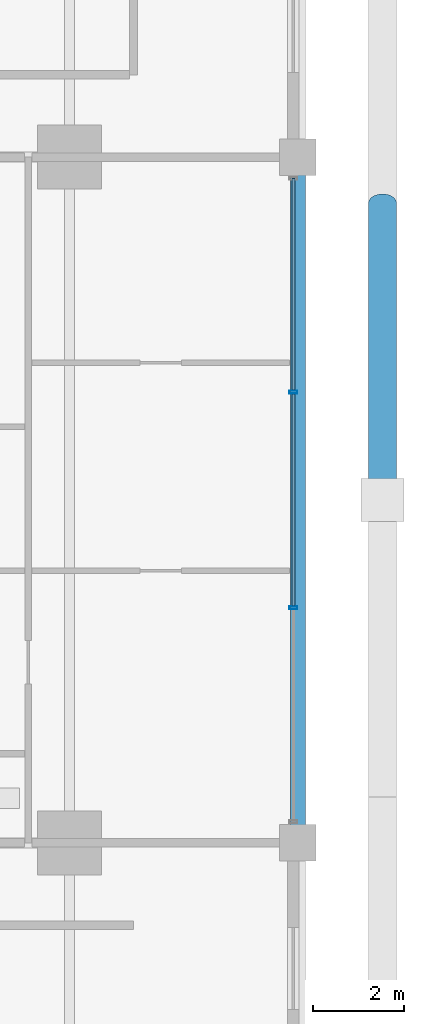
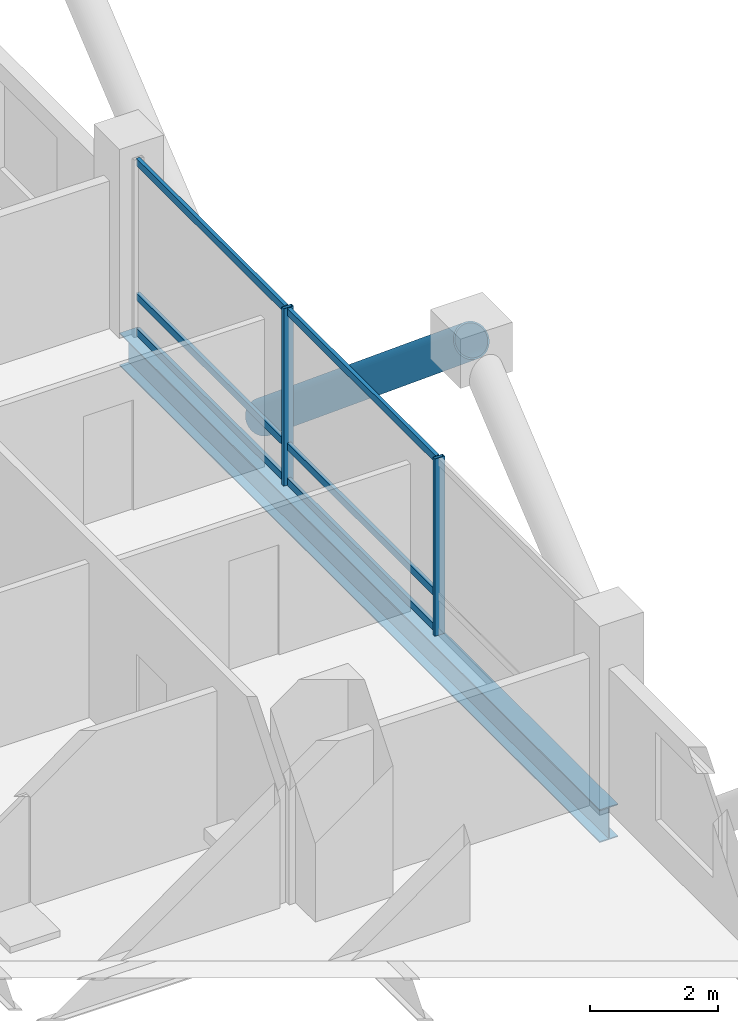
# One storey, part 10 of 23: 9 members, 1 beam, 1 element without a shape of its own.
"""IFC4 building model written with IfcOpenShell, lengths in metres."""

import ifcopenshell
import ifcopenshell.guid

model = None  # the IFC model being written
_history = None  # IfcOwnerHistory: only IFC2X3 demands one
_inside = {}  # id of a spatial element -> (the spatial element, [elements in it])
_under = {}  # id of a project, library or spatial element -> (it, [spatial elements below it])
_declared = {}  # id of a project -> (the project, [libraries it declares])
_typed = {}  # id of a type object -> (the type object, [elements of that type])
_made_of = {}  # id of a material, layer set ... -> (it, [elements and type objects made of it])


def new_model(schema):
    """Start an empty IFC model of exactly this schema.

    Asked for "IFC4X3", IfcOpenShell would pick the latest addendum, in which some entities
    have other attributes; the version numbers below select the first issue.
    IFC2X3 requires an IfcOwnerHistory on every rooted entity: one is made here for all.
    """
    global model, _history
    if schema == "IFC4X3":
        model = ifcopenshell.file(schema_version=(4, 3, 0, 0))
    else:
        model = ifcopenshell.file(schema=schema)
    _inside.clear()
    _under.clear()
    _declared.clear()
    _typed.clear()
    _made_of.clear()
    _history = None
    if model.schema == "IFC2X3":
        org = make("IfcOrganization", Name="unknown")
        user = make(
            "IfcPersonAndOrganization",
            ThePerson=make("IfcPerson", FamilyName="unknown"),
            TheOrganization=org,
        )
        app = make(
            "IfcApplication",
            ApplicationDeveloper=org,
            Version="unknown",
            ApplicationFullName="unknown",
            ApplicationIdentifier="unknown",
        )
        _history = make(
            "IfcOwnerHistory",
            OwningUser=user,
            OwningApplication=app,
            ChangeAction="ADDED",
            CreationDate=0,
        )
    return model


def make(cls, **values):
    """One entity of the class cls with the attributes given. An attribute that is None is left unset."""
    return model.create_entity(
        cls, **{name: value for name, value in values.items() if value is not None}
    )


def rooted(cls, **values):
    """An entity with a GlobalId (a new one), such as an element, a storey or a relation."""
    return make(cls, GlobalId=ifcopenshell.guid.new(), OwnerHistory=_history, **values)


def si_unit(unit_type, name, prefix=None):
    """IfcSIUnit, for example si_unit("LENGTHUNIT", "METRE", prefix="MILLI")."""
    return make("IfcSIUnit", UnitType=unit_type, Prefix=prefix, Name=name)


def assignment(units):
    """IfcUnitAssignment: the units of a project."""
    return None if units is None else make("IfcUnitAssignment", Units=units)


def point(xyz):
    """IfcCartesianPoint."""
    return None if xyz is None else make("IfcCartesianPoint", Coordinates=xyz)


def direction(xyz):
    """IfcDirection."""
    return None if xyz is None else make("IfcDirection", DirectionRatios=xyz)


def frame(location, z_axis=None, x_axis=None):
    """IfcAxis2Placement3D, a coordinate frame: its origin and axes. An axis left out is left unset."""
    return make(
        "IfcAxis2Placement3D",
        Location=point(location),
        Axis=direction(z_axis),
        RefDirection=direction(x_axis),
    )


def frame_2d(location, x_axis=None):
    """IfcAxis2Placement2D, a coordinate frame in the plane: its origin and x axis."""
    return make(
        "IfcAxis2Placement2D", Location=point(location), RefDirection=direction(x_axis)
    )


def origin():
    """The frame at (0, 0, 0) with its axes left unset."""
    return frame((0.0, 0.0, 0.0))


def origin_2d():
    """The frame at (0, 0) in the plane with its x axis left unset."""
    return frame_2d((0.0, 0.0))


def place(relative_to, where):
    """IfcLocalPlacement: puts the frame where relative to a parent placement (None: the world)."""
    return make(
        "IfcLocalPlacement", PlacementRelTo=relative_to, RelativePlacement=where
    )


def context(
    kind, dimensions, precision=None, world=None, true_north=None, identifier=None
):
    """IfcGeometricRepresentationContext, for example the 3D "Model" context."""
    return make(
        "IfcGeometricRepresentationContext",
        ContextIdentifier=identifier,
        ContextType=kind,
        CoordinateSpaceDimension=dimensions,
        Precision=precision,
        WorldCoordinateSystem=world,
        TrueNorth=true_north,
    )


def subcontext(parent, identifier, kind, view, scale=None):
    """IfcGeometricRepresentationSubContext, for example "Body" below "Model"."""
    return make(
        "IfcGeometricRepresentationSubContext",
        ContextIdentifier=identifier,
        ContextType=kind,
        ParentContext=parent,
        TargetScale=scale,
        TargetView=view,
    )


def project(units=None, contexts=None):
    """IfcProject with its units and contexts."""
    return rooted(
        "IfcProject",
        Name="project",
        RepresentationContexts=contexts,
        UnitsInContext=assignment(units),
    )


def spatial(cls, under=None, at=None, **own):
    """A site, building, storey or space (cls), placed at a placement, below another one or the project."""
    s = rooted(cls, ObjectPlacement=at, **own)
    if under is not None:
        _under.setdefault(under.id(), (under, []))[1].append(s)
    return s


def profile(cls, at=None, kind="AREA", **sizes):
    """A parametric profile (cls). Its sizes go by their IFC names, for example OverallWidth=200.0."""
    return make(cls, ProfileType=kind, Position=at, **sizes)


def hollow_rectangle(**sizes):
    """IfcRectangleHollowProfileDef."""
    return profile("IfcRectangleHollowProfileDef", **sizes)


def hollow_circle(**sizes):
    """IfcCircleHollowProfileDef."""
    return profile("IfcCircleHollowProfileDef", **sizes)


def i_section(**sizes):
    """IfcIShapeProfileDef."""
    return profile("IfcIShapeProfileDef", **sizes)


def extrude(swept, where, along, depth):
    """IfcExtrudedAreaSolid: the profile swept, set in the frame where, extruded along a direction by depth."""
    return make(
        "IfcExtrudedAreaSolid",
        SweptArea=swept,
        Position=where,
        ExtrudedDirection=direction(along),
        Depth=depth,
    )


def shape(context_of_items, identifier, shape_type, items):
    """IfcShapeRepresentation: the items that make up one representation, for example the "Body"."""
    return make(
        "IfcShapeRepresentation",
        ContextOfItems=context_of_items,
        RepresentationIdentifier=identifier,
        RepresentationType=shape_type,
        Items=items,
    )


def material(Name=None, Category=None):
    """IfcMaterial."""
    return make("IfcMaterial", Name=Name, Category=Category)


def layer(
    of_material, thickness, ventilated=None, Name=None, Category=None, Priority=None
):
    """IfcMaterialLayer: one layer of a wall or slab, of a material (None: an air gap)."""
    return make(
        "IfcMaterialLayer",
        Material=of_material,
        LayerThickness=thickness,
        IsVentilated=ventilated,
        Name=Name,
        Category=Category,
        Priority=Priority,
    )


def layer_set(layers, Name=None):
    """IfcMaterialLayerSet."""
    return make("IfcMaterialLayerSet", MaterialLayers=layers, LayerSetName=Name)


def material_profile(
    of_material, cross_section, Name=None, Category=None, Priority=None
):
    """IfcMaterialProfile: a cross section and its material."""
    return make(
        "IfcMaterialProfile",
        Name=Name,
        Material=of_material,
        Profile=cross_section,
        Priority=Priority,
        Category=Category,
    )


def profile_set(profiles, Name=None, composite=None):
    """IfcMaterialProfileSet."""
    return make(
        "IfcMaterialProfileSet",
        Name=Name,
        MaterialProfiles=profiles,
        CompositeProfile=composite,
    )


def made_of(thing, what):
    """Note that an element or type object is made of a material, layer set ...; save() writes the relation."""
    if what is not None:
        _made_of.setdefault(what.id(), (what, []))[1].append(thing)
    return thing


def type_object(cls, material=None, **own):
    """A type object (cls), such as IfcWallType, which elements share."""
    return made_of(rooted(cls, **own), material)


def element(
    cls,
    number,
    at=None,
    inside=None,
    cuts=None,
    type_object=None,
    material=None,
    context=None,
    identifier="Body",
    shape_type=None,
    held_by="IfcProductDefinitionShape",
    body=None,
    shapes=None,
    **own,
):
    """One element of the class cls, such as IfcWall. Its Tag is "e" and its number.

    at: its placement. inside: the storey or other place that contains it. cuts: it is an
    opening in that element (IfcRelVoidsElement). A single representation is given by context,
    identifier, shape_type and body (its items); several are given by shapes. held_by: the class
    of the entity that holds the representations. save() writes the other relations.
    """
    e = rooted(cls, Tag="e%d" % number, ObjectPlacement=at, **own)
    if body is not None:
        shapes = [shape(context, identifier, shape_type, body)]
    if shapes is not None:
        e.Representation = make(held_by, Representations=shapes)
    if inside is not None:
        _inside.setdefault(inside.id(), (inside, []))[1].append(e)
    if cuts is not None:
        rooted(
            "IfcRelVoidsElement", RelatingBuildingElement=cuts, RelatedOpeningElement=e
        )
    if type_object is not None:
        _typed.setdefault(type_object.id(), (type_object, []))[1].append(e)
    return made_of(e, material)


def aggregate(whole, parts):
    """IfcRelAggregates: a whole, such as a stair, and the parts it consists of."""
    return rooted("IfcRelAggregates", RelatingObject=whole, RelatedObjects=parts)


def save(model, path):
    """Write the relations noted so far, then the file.

    IfcRelAggregates (storeys below a building ...), IfcRelContainedInSpatialStructure (elements
    in a storey), IfcRelDefinesByType, IfcRelAssociatesMaterial and IfcRelDeclares: one each for
    every whole, place, type object, material and project.
    """
    for whole, parts in _under.values():
        aggregate(whole, parts)
    for where, things in _inside.values():
        rooted(
            "IfcRelContainedInSpatialStructure",
            RelatedElements=things,
            RelatingStructure=where,
        )
    for kind, things in _typed.values():
        rooted("IfcRelDefinesByType", RelatedObjects=things, RelatingType=kind)
    for what, things in _made_of.values():
        rooted("IfcRelAssociatesMaterial", RelatedObjects=things, RelatingMaterial=what)
    for by, libraries in _declared.values():
        rooted("IfcRelDeclares", RelatingContext=by, RelatedDefinitions=libraries)
    model.write(path)


model = new_model("IFC4")

# Units and contexts
model_context = context("Model", 3, precision=1e-05, world=origin(), true_north=direction((0.0, 1.0)))
body_context = subcontext(model_context, "Body", "Model", "MODEL_VIEW")
ifc_project = project(units=[si_unit("LENGTHUNIT", "METRE"), si_unit("AREAUNIT", "SQUARE_METRE"), si_unit("VOLUMEUNIT", "CUBIC_METRE"), si_unit("PLANEANGLEUNIT", "RADIAN"), si_unit("MASSUNIT", "GRAM", prefix="KILO")], contexts=[model_context])

# Site, building, storey
site_placement = place(None, origin())
site = spatial("IfcSite", under=ifc_project, at=site_placement, CompositionType="ELEMENT")
building_placement = place(site_placement, origin())
building = spatial("IfcBuilding", under=site, at=building_placement, Name="Barlavira Tower and Art Museum", CompositionType="ELEMENT")
storey_placement = place(building_placement, frame((0.0, 0.0, 57.60009765625)))
storey = spatial("IfcBuildingStorey", under=building, at=storey_placement, Name="L13", CompositionType="ELEMENT", Elevation=57.60009765625)

# Curtain wall, members
ifc_material_1 = material(Name="Low-iron coastal laminated glass", Category="glass")
ifc_layer = layer(ifc_material_1, 0.179931640625, Name="Low-iron coastal laminated glass")
ifc_layer_set = layer_set([ifc_layer], Name="Low-iron coastal laminated glass")
curtain_wall_type = type_object("IfcCurtainWallType", Name="Pale-Metal Unitised Curtain Wall Zone 1", PredefinedType="NOTDEFINED", material=ifc_layer_set)
curtain_wall_placement = place(storey_placement, origin())
curtain_wall = element("IfcCurtainWall", 1, at=curtain_wall_placement, inside=storey, type_object=curtain_wall_type, Name="L13 Curtain Wall CW1-L13-E-B3", PredefinedType="NOTDEFINED")
ifc_material_2 = material(Name="Pale anodised aluminium", Category="aluminium")
ifc_material_profile_1 = material_profile(ifc_material_2, hollow_rectangle(XDim=0.06494140625, YDim=0.179931640625, WallThickness=0.00390625, at=origin_2d()), Name="ALU-MULL 65x180x4")
ifc_profile_set_1 = profile_set([ifc_material_profile_1], Name="Pale anodised aluminium")
member_type_1 = type_object("IfcMemberType", Name="Curtain Wall Pale-Metal Mullion 65x180", PredefinedType="MULLION", material=ifc_profile_set_1)
member_1_placement = place(storey_placement, frame((21.89990234375, -2.360107421875, 0.0), z_axis=(0.0, 0.0, 1.0), x_axis=(0.0, 1.0, 0.0)))
member_1 = element("IfcMember", 2, at=member_1_placement, type_object=member_type_1, Name="CW1-L13-E-B3 Mullion 1", PredefinedType="MULLION", context=body_context, shape_type="SweptSolid", body=[
    extrude(hollow_rectangle(XDim=0.06494140625, YDim=0.179931640625, WallThickness=0.00390625, at=origin_2d()), origin(), (0.0, 0.0, 1.0), 3.3798828125),
])
member_2_placement = place(storey_placement, frame((21.89990234375, 2.360107421875, 0.0), z_axis=(0.0, 0.0, 1.0), x_axis=(0.0, 1.0, 0.0)))
member_2 = element("IfcMember", 3, at=member_2_placement, type_object=member_type_1, Name="CW1-L13-E-B3 Mullion 2", PredefinedType="MULLION", context=body_context, shape_type="SweptSolid", body=[
    extrude(hollow_rectangle(XDim=0.06494140625, YDim=0.179931640625, WallThickness=0.00390625, at=origin_2d()), origin(), (0.0, 0.0, 1.0), 3.3798828125),
])
ifc_material_profile_2 = material_profile(ifc_material_2, hollow_rectangle(XDim=0.06494140625, YDim=0.139892578125, WallThickness=0.00390625, at=origin_2d()), Name="ALU-TRAN 65x140x4")
ifc_profile_set_2 = profile_set([ifc_material_profile_2], Name="Pale anodised aluminium")
member_type_2 = type_object("IfcMemberType", Name="Curtain Wall Pale-Metal Transom 65x140", PredefinedType="USERDEFINED", material=ifc_profile_set_2)
member_3_placement = place(storey_placement, frame((21.89990234375, -2.31494140625, 0.06982421875), z_axis=(0.0, 1.0, 0.0), x_axis=(-1.0, 0.0, 0.0)))
member_3 = element("IfcMember", 4, at=member_3_placement, type_object=member_type_2, Name="CW1-L13-E-B3 Transom 1.1", ObjectType="TRANSOM", PredefinedType="USERDEFINED", context=body_context, shape_type="SweptSolid", body=[
    extrude(hollow_rectangle(XDim=0.06494140625, YDim=0.139892578125, WallThickness=0.00390625, at=origin_2d()), origin(), (0.0, 0.0, 1.0), 4.6298828125),
])
member_4_placement = place(storey_placement, frame((21.89990234375, -2.31494140625, 0.743896484375), z_axis=(0.0, 1.0, 0.0), x_axis=(-1.0, 0.0, 0.0)))
member_4 = element("IfcMember", 5, at=member_4_placement, type_object=member_type_2, Name="CW1-L13-E-B3 Transom 1.2", ObjectType="TRANSOM", PredefinedType="USERDEFINED", context=body_context, shape_type="SweptSolid", body=[
    extrude(hollow_rectangle(XDim=0.06494140625, YDim=0.139892578125, WallThickness=0.00390625, at=origin_2d()), origin(), (0.0, 0.0, 1.0), 4.6298828125),
])
member_5_placement = place(storey_placement, frame((21.89990234375, -2.31494140625, 3.309814453125), z_axis=(0.0, 1.0, 0.0), x_axis=(-1.0, 0.0, 0.0)))
member_5 = element("IfcMember", 6, at=member_5_placement, type_object=member_type_2, Name="CW1-L13-E-B3 Transom 1.3", ObjectType="TRANSOM", PredefinedType="USERDEFINED", context=body_context, shape_type="SweptSolid", body=[
    extrude(hollow_rectangle(XDim=0.06494140625, YDim=0.139892578125, WallThickness=0.00390625, at=origin_2d()), origin(), (0.0, 0.0, 1.0), 4.6298828125),
])
member_6_placement = place(storey_placement, frame((21.89990234375, 2.405029296875, 0.06982421875), z_axis=(0.0, 1.0, 0.0), x_axis=(-1.0, 0.0, 0.0)))
member_6 = element("IfcMember", 7, at=member_6_placement, type_object=member_type_2, Name="CW1-L13-E-B3 Transom 2.1", ObjectType="TRANSOM", PredefinedType="USERDEFINED", context=body_context, shape_type="SweptSolid", body=[
    extrude(hollow_rectangle(XDim=0.06494140625, YDim=0.139892578125, WallThickness=0.00390625, at=origin_2d()), origin(), (0.0, 0.0, 1.0), 4.6298828125),
])
member_7_placement = place(storey_placement, frame((21.89990234375, 2.405029296875, 0.743896484375), z_axis=(0.0, 1.0, 0.0), x_axis=(-1.0, 0.0, 0.0)))
member_7 = element("IfcMember", 8, at=member_7_placement, type_object=member_type_2, Name="CW1-L13-E-B3 Transom 2.2", ObjectType="TRANSOM", PredefinedType="USERDEFINED", context=body_context, shape_type="SweptSolid", body=[
    extrude(hollow_rectangle(XDim=0.06494140625, YDim=0.139892578125, WallThickness=0.00390625, at=origin_2d()), origin(), (0.0, 0.0, 1.0), 4.6298828125),
])
member_8_placement = place(storey_placement, frame((21.89990234375, 2.405029296875, 3.309814453125), z_axis=(0.0, 1.0, 0.0), x_axis=(-1.0, 0.0, 0.0)))
member_8 = element("IfcMember", 9, at=member_8_placement, type_object=member_type_2, Name="CW1-L13-E-B3 Transom 2.3", ObjectType="TRANSOM", PredefinedType="USERDEFINED", context=body_context, shape_type="SweptSolid", body=[
    extrude(hollow_rectangle(XDim=0.06494140625, YDim=0.139892578125, WallThickness=0.00390625, at=origin_2d()), origin(), (0.0, 0.0, 1.0), 4.6298828125),
])
aggregate(curtain_wall, [member_1, member_2, member_3, member_4, member_5, member_6, member_7, member_8])

# Member
ifc_material_3 = material(Name="Steel S355", Category="steel")
ifc_material_profile_3 = material_profile(ifc_material_3, hollow_circle(Radius=0.304931640625, WallThickness=0.028076171875, at=origin_2d()), Name="CHS 610.0x28.0")
ifc_profile_set_3 = profile_set([ifc_material_profile_3], Name="Steel S355")
member_type_3 = type_object("IfcMemberType", Name="Pale-Metal Exoskeleton Diagrid Tube CHS 610x28 Steel S355", PredefinedType="BRACE", material=ifc_profile_set_3)
member_9_placement = place(storey_placement, frame((23.85009765625, 6.5, -1.920166015625), z_axis=(0.0, -0.76918185268, 0.639029950399), x_axis=(1.0, 0.0, 0.0)))
element("IfcMember", 10, at=member_9_placement, inside=storey, type_object=member_type_3, Name="L13 Exoskeleton Diagrid Tube E", PredefinedType="BRACE", context=body_context, shape_type="SweptSolid", body=[
    extrude(hollow_circle(Radius=0.304931640625, WallThickness=0.028076171875, at=origin_2d()), origin(), (0.0, 0.0, 1.0), 8.450439453125),
])

# Beam
ifc_material_profile_4 = material_profile(ifc_material_3, i_section(OverallWidth=0.327880859375, OverallDepth=0.62890625, WebThickness=0.013916015625, FlangeThickness=0.021484375, at=origin_2d()), Name="W610x174.0")
ifc_profile_set_4 = profile_set([ifc_material_profile_4], Name="Steel S355")
beam_type = type_object("IfcBeamType", Name="Perimeter Spandrel Edge Beam W610x174 Steel S355", PredefinedType="SPANDREL", material=ifc_profile_set_4)
beam_placement = place(storey_placement, frame((22.0, -7.5, -0.53466796875), z_axis=(0.0, 1.0, 0.0), x_axis=(-1.0, 0.0, 0.0)))
element("IfcBeam", 11, at=beam_placement, inside=storey, type_object=beam_type, Name="L13 Spandrel 6", PredefinedType="SPANDREL", context=body_context, shape_type="SweptSolid", body=[
    extrude(i_section(OverallWidth=0.327880859375, OverallDepth=0.62890625, WebThickness=0.013916015625, FlangeThickness=0.021484375, at=origin_2d()), origin(), (0.0, 0.0, 1.0), 15.0),
])

save(model, "model.ifc")
